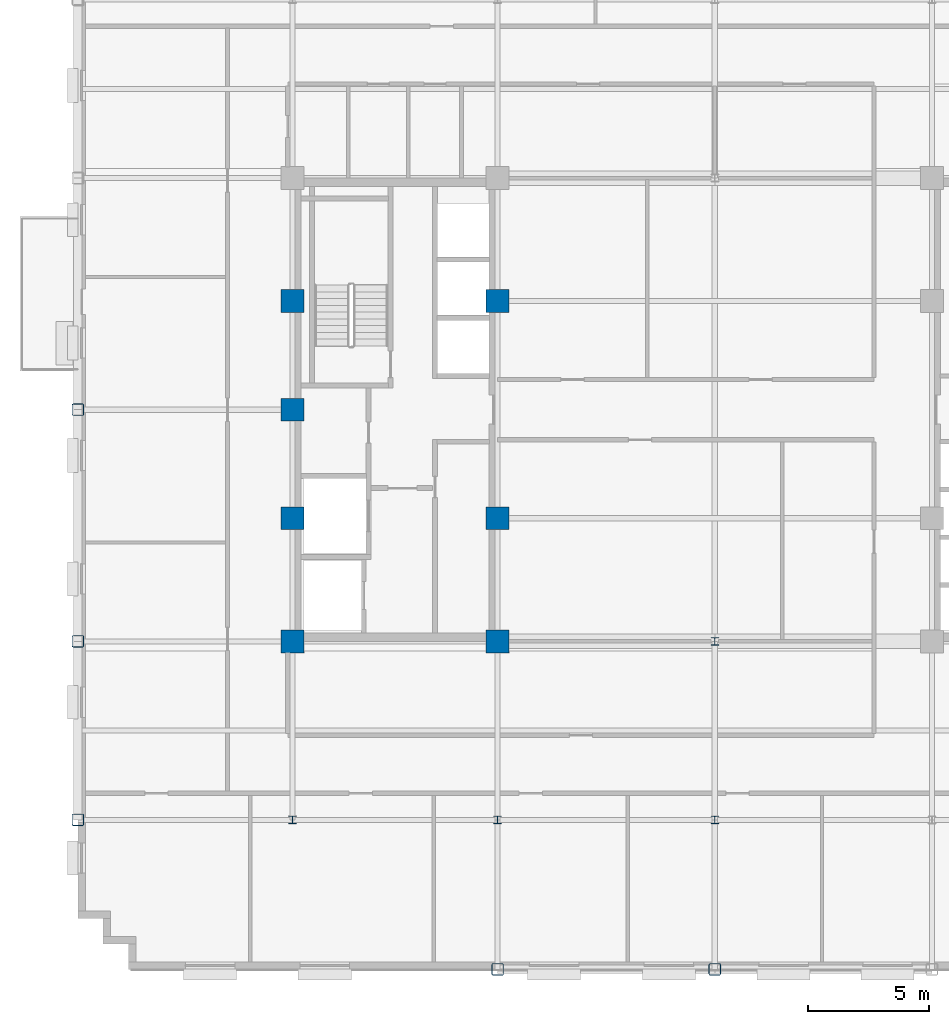
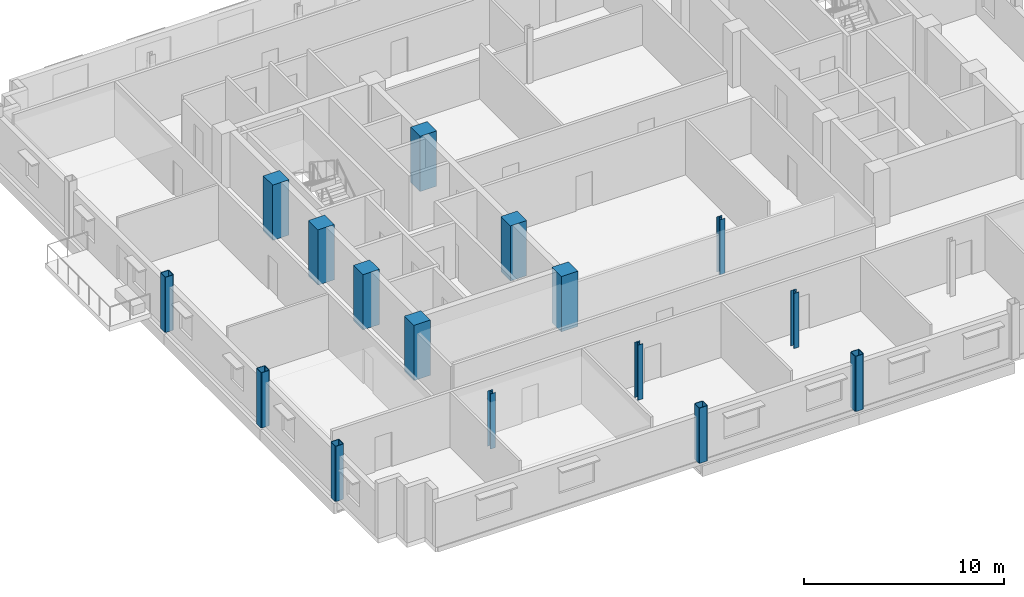
# One storey, part 1 of 15: 16 columns.
"""IFC4 building model written with IfcOpenShell, lengths in metres."""

from ifc_helpers import new_model, si_unit, direction, frame, origin, origin_2d, place, context, subcontext, project, spatial, rectangle, hollow_rectangle, i_section, extrude, material, material_profile, profile_set, type_object, element, save


model = new_model("IFC4")

# Units and contexts
model_context = context("Model", 3, precision=1e-05, world=origin(), true_north=direction((0.0, 1.0)))
body_context = subcontext(model_context, "Body", "Model", "MODEL_VIEW")
ifc_project = project(units=[si_unit("LENGTHUNIT", "METRE"), si_unit("AREAUNIT", "SQUARE_METRE"), si_unit("VOLUMEUNIT", "CUBIC_METRE"), si_unit("PLANEANGLEUNIT", "RADIAN"), si_unit("MASSUNIT", "GRAM", prefix="KILO")], contexts=[model_context])

# Site, building, storey
site_placement = place(None, origin())
site = spatial("IfcSite", under=ifc_project, at=site_placement, CompositionType="ELEMENT")
building_placement = place(site_placement, origin())
building = spatial("IfcBuilding", under=site, at=building_placement, Name="Nuvemarco Arch Tower", CompositionType="ELEMENT")
storey_placement = place(building_placement, frame((0.0, 0.0, 194.550048828125)))
storey = spatial("IfcBuildingStorey", under=building, at=storey_placement, Name="L51", CompositionType="ELEMENT", Elevation=194.550048828125)

# Columns
ifc_material_1 = material(Name="Concrete C50/60", Category="concrete")
ifc_material_profile_1 = material_profile(ifc_material_1, rectangle(XDim=0.949951171875, YDim=0.949951171875, at=origin_2d()), Name="RC-COL-950x950")
ifc_profile_set_1 = profile_set([ifc_material_profile_1], Name="Concrete C50/60")
column_type_1 = type_object("IfcColumnType", Name="COL-CORE-950", PredefinedType="COLUMN", material=ifc_profile_set_1)
for number, where, z_axis, x_axis, name in (
    (1, (-17.5, -9.60009765625, 0.0), (0.0, 0.0, 1.0), (1.0, 0.0, 0.0), "L51 column CC_-17.5_-9.6"),
    (2, (-17.5, -4.5, 0.0), (0.0, 0.0, 1.0), (1.0, 0.0, 0.0), "L51 column CC_-17.5_-4.5"),
    (3, (-17.5, 4.5, 0.0), (0.0, 0.0, 1.0), (1.0, 0.0, 0.0), "L51 column CC_-17.5_+4.5"),
    (4, (-9.0, -9.60009765625, 0.0), (0.0, 0.0, 1.0), (1.0, 0.0, 0.0), "L51 column CC_-9.0_-9.6"),
    (5, (-9.0, -4.5, 0.0), (0.0, 0.0, 1.0), (1.0, 0.0, 0.0), "L51 column CC_-9.0_-4.5"),
    (6, (-9.0, 4.5, 0.0), (0.0, 0.0, 1.0), (1.0, 0.0, 0.0), "L51 column CC_-9.0_+4.5"),
    (7, (-17.5, 0.0, 0.0), (0.0, 0.0, 1.0), (1.0, 0.0, 0.0), "L51 column CC_-17.5_+0.0"),
):
    element("IfcColumn", number, at=place(storey_placement, frame(where, z_axis=z_axis, x_axis=x_axis)), inside=storey, type_object=column_type_1, Name=name, PredefinedType="COLUMN", context=body_context, shape_type="SweptSolid", body=[
        extrude(rectangle(XDim=0.949951171875, YDim=0.949951171875, at=origin_2d()), origin(), (0.0, 0.0, 1.0), 3.369873046875),
    ])
ifc_material_2 = material(Name="Steel S355", Category="steel")
ifc_material_profile_2 = material_profile(ifc_material_2, hollow_rectangle(XDim=0.5, YDim=0.5, WallThickness=0.031982421875, InnerFilletRadius=0.031982421875, OuterFilletRadius=0.06396484375, at=origin_2d()), Name="SHS500x500x32")
ifc_profile_set_2 = profile_set([ifc_material_profile_2], Name="Steel S355")
column_type_2 = type_object("IfcColumnType", Name="COL-EXO-500", PredefinedType="COLUMN", material=ifc_profile_set_2)
for number, where, z_axis, x_axis, name in (
    (8, (-26.39990234375, -17.0, 0.0), (0.0, 0.0, 1.0), (1.0, 0.0, 0.0), "L51 column CX_-26.4_-17.0"),
    (9, (-26.39990234375, -9.60009765625, 0.0), (0.0, 0.0, 1.0), (1.0, 0.0, 0.0), "L51 column CX_-26.4_-9.6"),
    (10, (-26.39990234375, 0.0, 0.0), (0.0, 0.0, 1.0), (1.0, 0.0, 0.0), "L51 column CX_-26.4_+0.0"),
    (11, (-9.0, -23.199951171875, 0.0), (0.0, 0.0, 1.0), (1.0, 0.0, 0.0), "L51 column CY_-9.0_-23.2"),
    (12, (0.0, -23.199951171875, 0.0), (0.0, 0.0, 1.0), (1.0, 0.0, 0.0), "L51 column CY_+0.0_-23.2"),
):
    element("IfcColumn", number, at=place(storey_placement, frame(where, z_axis=z_axis, x_axis=x_axis)), inside=storey, type_object=column_type_2, Name=name, PredefinedType="COLUMN", context=body_context, shape_type="SweptSolid", body=[
        extrude(hollow_rectangle(XDim=0.5, YDim=0.5, WallThickness=0.031982421875, InnerFilletRadius=0.031982421875, OuterFilletRadius=0.06396484375, at=origin_2d()), origin(), (0.0, 0.0, 1.0), 3.369873046875),
    ])
ifc_material_profile_3 = material_profile(ifc_material_2, i_section(OverallWidth=0.31005859375, OverallDepth=0.31005859375, WebThickness=0.015380859375, FlangeThickness=0.015380859375, FilletRadius=0.014892578125, at=origin_2d()), Name="HP310x110")
ifc_profile_set_3 = profile_set([ifc_material_profile_3], Name="Steel S355")
column_type_3 = type_object("IfcColumnType", Name="COL-STL-HP310", PredefinedType="COLUMN", material=ifc_profile_set_3)
for number, where, z_axis, x_axis, name in (
    (13, (0.0, -17.0, 0.0), (0.0, 0.0, 1.0), (1.0, 0.0, 0.0), "L51 column CI_+0.0_-17.0"),
    (14, (0.0, -9.60009765625, 0.0), (0.0, 0.0, 1.0), (1.0, 0.0, 0.0), "L51 column CI_+0.0_-9.6"),
    (15, (-17.5, -17.0, 0.0), (0.0, 0.0, 1.0), (1.0, 0.0, 0.0), "L51 column CI_-17.5_-17.0"),
    (16, (-9.0, -17.0, 0.0), (0.0, 0.0, 1.0), (1.0, 0.0, 0.0), "L51 column CI_-9.0_-17.0"),
):
    element("IfcColumn", number, at=place(storey_placement, frame(where, z_axis=z_axis, x_axis=x_axis)), inside=storey, type_object=column_type_3, Name=name, PredefinedType="COLUMN", context=body_context, shape_type="SweptSolid", body=[
        extrude(i_section(OverallWidth=0.31005859375, OverallDepth=0.31005859375, WebThickness=0.015380859375, FlangeThickness=0.015380859375, FilletRadius=0.014892578125, at=origin_2d()), origin(), (0.0, 0.0, 1.0), 3.369873046875),
    ])

save(model, "model.ifc")
